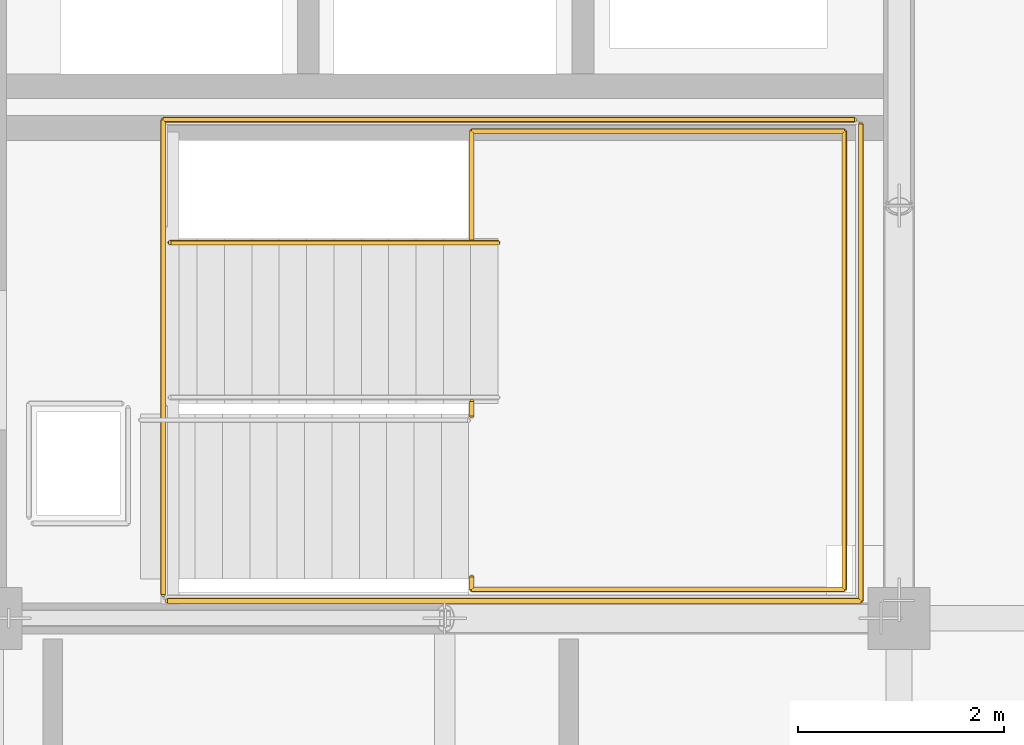
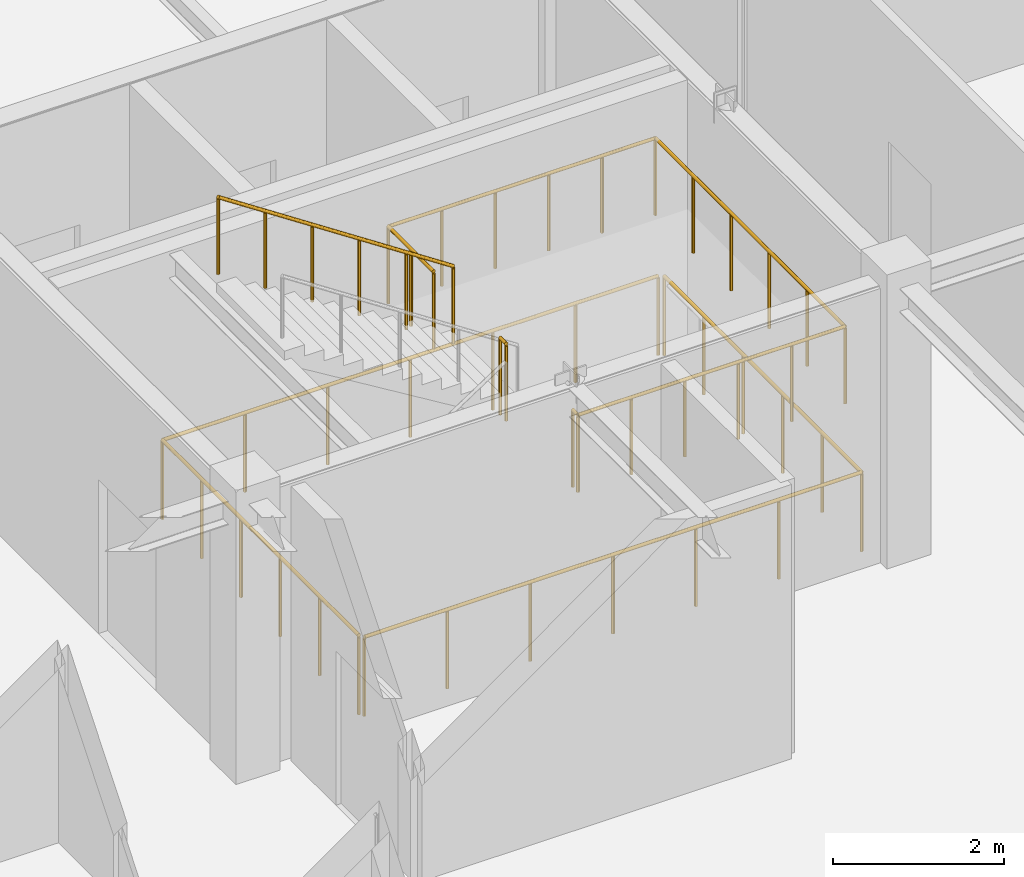
# One storey, part 61 of 64: 5 railings.
"""IFC4 building model written with IfcOpenShell, lengths in metres."""

from ifc_helpers import new_model, si_unit, direction, frame, origin, origin_2d, place, context, subcontext, project, spatial, circle, extrude, material, type_object, element, save


model = new_model("IFC4")

# Units and contexts
model_context = context("Model", 3, precision=1e-05, world=origin(), true_north=direction((0.0, 1.0)))
body_context = subcontext(model_context, "Body", "Model", "MODEL_VIEW")
ifc_project = project(units=[si_unit("LENGTHUNIT", "METRE"), si_unit("AREAUNIT", "SQUARE_METRE"), si_unit("VOLUMEUNIT", "CUBIC_METRE"), si_unit("PLANEANGLEUNIT", "RADIAN"), si_unit("MASSUNIT", "GRAM", prefix="KILO")], contexts=[model_context])

# Site, building, storey
site_placement = place(None, origin())
site = spatial("IfcSite", under=ifc_project, at=site_placement, CompositionType="ELEMENT")
building_placement = place(site_placement, origin())
building = spatial("IfcBuilding", under=site, at=building_placement, Name="Zhaolan Boulevard Law Courts", CompositionType="ELEMENT")
storey_placement = place(building_placement, frame((0.0, 0.0, 20.39990234375)))
storey = spatial("IfcBuildingStorey", under=building, at=storey_placement, Name="L04", CompositionType="ELEMENT", Elevation=20.39990234375)

# Railings
ifc_material_1 = material(Name="Powder-coated steel and tempered laminated glass", Category="steel")
railing_type_1 = type_object("IfcRailingType", Name="INTERIOR GUARDRAIL 1150", PredefinedType="GUARDRAIL", material=ifc_material_1)
railing_1_placement = place(storey_placement, frame((19.31005859375, 46.169921875, 0.0)))
element("IfcRailing", 1, at=railing_1_placement, inside=storey, type_object=railing_type_1, Name="Atrium Gallery Guardrail VG-4-V5-6A", PredefinedType="GUARDRAIL", context=body_context, shape_type="SweptSolid", body=[
    extrude(circle(Radius=0.02490234375, at=origin_2d()), frame((0.0, 0.0, 1.125), z_axis=(1.0, 0.0, 0.0), x_axis=(0.0, 1.0, 0.0)), (0.0, 0.0, 1.0), 6.719970703125),
    extrude(circle(Radius=0.02490234375, at=origin_2d()), frame((6.719970703125, 0.0, 1.125), z_axis=(0.0, 1.0, 0.0), x_axis=(-1.0, 0.0, 0.0)), (0.0, 0.0, 1.0), 4.6201171875),
    extrude(circle(Radius=0.02099609375, at=origin_2d()), origin(), (0.0, 0.0, 1.0), 1.099853515625),
    extrude(circle(Radius=0.02099609375, at=origin_2d()), frame((1.1201171875, 0.0, 0.0)), (0.0, 0.0, 1.0), 1.099853515625),
    extrude(circle(Radius=0.02099609375, at=origin_2d()), frame((2.239990234375, 0.0, 0.0)), (0.0, 0.0, 1.0), 1.099853515625),
    extrude(circle(Radius=0.02099609375, at=origin_2d()), frame((3.35986328125, 0.0, 0.0)), (0.0, 0.0, 1.0), 1.099853515625),
    extrude(circle(Radius=0.02099609375, at=origin_2d()), frame((4.47998046875, 0.0, 0.0)), (0.0, 0.0, 1.0), 1.099853515625),
    extrude(circle(Radius=0.02099609375, at=origin_2d()), frame((5.60009765625, 0.0, 0.0)), (0.0, 0.0, 1.0), 1.099853515625),
    extrude(circle(Radius=0.02099609375, at=origin_2d()), frame((6.719970703125, 0.0, 0.0)), (0.0, 0.0, 1.0), 1.099853515625),
    extrude(circle(Radius=0.02099609375, at=origin_2d()), frame((6.719970703125, 0.924072265625, 0.0)), (0.0, 0.0, 1.0), 1.099853515625),
    extrude(circle(Radius=0.02099609375, at=origin_2d()), frame((6.719970703125, 1.84814453125, 0.0)), (0.0, 0.0, 1.0), 1.099853515625),
    extrude(circle(Radius=0.02099609375, at=origin_2d()), frame((6.719970703125, 2.77197265625, 0.0)), (0.0, 0.0, 1.0), 1.099853515625),
    extrude(circle(Radius=0.02099609375, at=origin_2d()), frame((6.719970703125, 3.696044921875, 0.0)), (0.0, 0.0, 1.0), 1.099853515625),
    extrude(circle(Radius=0.02099609375, at=origin_2d()), frame((6.719970703125, 4.6201171875, 0.0)), (0.0, 0.0, 1.0), 1.099853515625),
])
railing_2_placement = place(storey_placement, frame((25.969970703125, 50.830078125, 0.0)))
element("IfcRailing", 2, at=railing_2_placement, inside=storey, type_object=railing_type_1, Name="Atrium Gallery Guardrail VG-4-V5-6B", PredefinedType="GUARDRAIL", context=body_context, shape_type="SweptSolid", body=[
    extrude(circle(Radius=0.02490234375, at=origin_2d()), frame((0.0, 0.0, 1.125), z_axis=(-1.0, 0.0, 0.0), x_axis=(0.0, -1.0, 0.0)), (0.0, 0.0, 1.0), 6.699951171875),
    extrude(circle(Radius=0.02490234375, at=origin_2d()), frame((-6.699951171875, 0.0, 1.125), z_axis=(0.0, -1.0, 0.0), x_axis=(1.0, 0.0, 0.0)), (0.0, 0.0, 1.0), 4.60009765625),
    extrude(circle(Radius=0.02099609375, at=origin_2d()), origin(), (0.0, 0.0, 1.0), 1.099853515625),
    extrude(circle(Radius=0.02099609375, at=origin_2d()), frame((-1.11669921875, 0.0, 0.0)), (0.0, 0.0, 1.0), 1.099853515625),
    extrude(circle(Radius=0.02099609375, at=origin_2d()), frame((-2.2333984375, 0.0, 0.0)), (0.0, 0.0, 1.0), 1.099853515625),
    extrude(circle(Radius=0.02099609375, at=origin_2d()), frame((-3.35009765625, 0.0, 0.0)), (0.0, 0.0, 1.0), 1.099853515625),
    extrude(circle(Radius=0.02099609375, at=origin_2d()), frame((-4.466552734375, 0.0, 0.0)), (0.0, 0.0, 1.0), 1.099853515625),
    extrude(circle(Radius=0.02099609375, at=origin_2d()), frame((-5.583251953125, 0.0, 0.0)), (0.0, 0.0, 1.0), 1.099853515625),
    extrude(circle(Radius=0.02099609375, at=origin_2d()), frame((-6.699951171875, 0.0, 0.0)), (0.0, 0.0, 1.0), 1.099853515625),
    extrude(circle(Radius=0.02099609375, at=origin_2d()), frame((-6.699951171875, -0.919921875, 0.0)), (0.0, 0.0, 1.0), 1.099853515625),
    extrude(circle(Radius=0.02099609375, at=origin_2d()), frame((-6.699951171875, -1.840087890625, 0.0)), (0.0, 0.0, 1.0), 1.099853515625),
    extrude(circle(Radius=0.02099609375, at=origin_2d()), frame((-6.699951171875, -2.760009765625, 0.0)), (0.0, 0.0, 1.0), 1.099853515625),
    extrude(circle(Radius=0.02099609375, at=origin_2d()), frame((-6.699951171875, -3.68017578125, 0.0)), (0.0, 0.0, 1.0), 1.099853515625),
    extrude(circle(Radius=0.02099609375, at=origin_2d()), frame((-6.699951171875, -4.60009765625, 0.0)), (0.0, 0.0, 1.0), 1.099853515625),
])
ifc_material_2 = material(Name="Powder-coated steel baluster guardrail", Category="steel")
railing_type_2 = type_object("IfcRailingType", Name="STAIR WELL GUARDRAIL 1120", PredefinedType="GUARDRAIL", material=ifc_material_2)
railing_3_placement = place(storey_placement, frame((22.260009765625, 46.39990234375, 2.10009765625)))
element("IfcRailing", 3, at=railing_3_placement, inside=storey, type_object=railing_type_2, Name="Half-Landing Guardrail SG-ST01-L04-M", PredefinedType="GUARDRAIL", context=body_context, shape_type="SweptSolid", body=[
    extrude(circle(Radius=0.02392578125, at=origin_2d()), frame((0.0, 0.0, 1.09619140625), z_axis=(0.0, -1.0, 0.0), x_axis=(1.0, 0.0, 0.0)), (0.0, 0.0, 1.0), 0.119873046875),
    extrude(circle(Radius=0.02392578125, at=origin_2d()), frame((0.0, -0.119873046875, 1.09619140625), z_axis=(1.0, 0.0, 0.0), x_axis=(0.0, 1.0, 0.0)), (0.0, 0.0, 1.0), 3.610107421875),
    extrude(circle(Radius=0.02392578125, at=origin_2d()), frame((3.610107421875, -0.119873046875, 1.09619140625), z_axis=(0.0, 1.0, 0.0), x_axis=(-1.0, 0.0, 0.0)), (0.0, 0.0, 1.0), 4.43994140625),
    extrude(circle(Radius=0.02392578125, at=origin_2d()), frame((3.610107421875, 4.320068359375, 1.09619140625), z_axis=(-1.0, 0.0, 0.0), x_axis=(0.0, -1.0, 0.0)), (0.0, 0.0, 1.0), 3.610107421875),
    extrude(circle(Radius=0.02392578125, at=origin_2d()), frame((0.0, 4.320068359375, 1.09619140625), z_axis=(0.0, -1.0, 0.0), x_axis=(1.0, 0.0, 0.0)), (0.0, 0.0, 1.0), 1.06005859375),
    extrude(circle(Radius=0.02099609375, at=origin_2d()), origin(), (0.0, 0.0, 1.0), 1.072021484375),
    extrude(circle(Radius=0.02099609375, at=origin_2d()), frame((0.0, -0.119873046875, 0.0)), (0.0, 0.0, 1.0), 1.072021484375),
    extrude(circle(Radius=0.02099609375, at=origin_2d()), frame((0.721923828125, -0.119873046875, 0.0)), (0.0, 0.0, 1.0), 1.072021484375),
    extrude(circle(Radius=0.02099609375, at=origin_2d()), frame((1.444091796875, -0.119873046875, 0.0)), (0.0, 0.0, 1.0), 1.072021484375),
    extrude(circle(Radius=0.02099609375, at=origin_2d()), frame((2.166015625, -0.119873046875, 0.0)), (0.0, 0.0, 1.0), 1.072021484375),
    extrude(circle(Radius=0.02099609375, at=origin_2d()), frame((2.88818359375, -0.119873046875, 0.0)), (0.0, 0.0, 1.0), 1.072021484375),
    extrude(circle(Radius=0.02099609375, at=origin_2d()), frame((3.610107421875, -0.119873046875, 0.0)), (0.0, 0.0, 1.0), 1.072021484375),
    extrude(circle(Radius=0.02099609375, at=origin_2d()), frame((3.610107421875, 0.76806640625, 0.0)), (0.0, 0.0, 1.0), 1.072021484375),
    extrude(circle(Radius=0.02099609375, at=origin_2d()), frame((3.610107421875, 1.656005859375, 0.0)), (0.0, 0.0, 1.0), 1.072021484375),
    extrude(circle(Radius=0.02099609375, at=origin_2d()), frame((3.610107421875, 2.544189453125, 0.0)), (0.0, 0.0, 1.0), 1.072021484375),
    extrude(circle(Radius=0.02099609375, at=origin_2d()), frame((3.610107421875, 3.43212890625, 0.0)), (0.0, 0.0, 1.0), 1.072021484375),
    extrude(circle(Radius=0.02099609375, at=origin_2d()), frame((3.610107421875, 4.320068359375, 0.0)), (0.0, 0.0, 1.0), 1.072021484375),
    extrude(circle(Radius=0.02099609375, at=origin_2d()), frame((2.88818359375, 4.320068359375, 0.0)), (0.0, 0.0, 1.0), 1.072021484375),
    extrude(circle(Radius=0.02099609375, at=origin_2d()), frame((2.166015625, 4.320068359375, 0.0)), (0.0, 0.0, 1.0), 1.072021484375),
    extrude(circle(Radius=0.02099609375, at=origin_2d()), frame((1.444091796875, 4.320068359375, 0.0)), (0.0, 0.0, 1.0), 1.072021484375),
    extrude(circle(Radius=0.02099609375, at=origin_2d()), frame((0.721923828125, 4.320068359375, 0.0)), (0.0, 0.0, 1.0), 1.072021484375),
    extrude(circle(Radius=0.02099609375, at=origin_2d()), frame((0.0, 4.320068359375, 0.0)), (0.0, 0.0, 1.0), 1.072021484375),
    extrude(circle(Radius=0.02099609375, at=origin_2d()), frame((0.0, 3.7900390625, 0.0)), (0.0, 0.0, 1.0), 1.072021484375),
    extrude(circle(Radius=0.02099609375, at=origin_2d()), frame((0.0, 3.260009765625, 0.0)), (0.0, 0.0, 1.0), 1.072021484375),
])
railing_4_placement = place(storey_placement, frame((22.260009765625, 47.9599609375, 2.10009765625)))
element("IfcRailing", 4, at=railing_4_placement, inside=storey, type_object=railing_type_2, Name="Half-Landing Well Guardrail SG-ST01-L04-W", PredefinedType="GUARDRAIL", context=body_context, shape_type="SweptSolid", body=[
    extrude(circle(Radius=0.02392578125, at=origin_2d()), frame((0.0, 0.0, 1.09619140625), z_axis=(0.0, 1.0, 0.0), x_axis=(-1.0, 0.0, 0.0)), (0.0, 0.0, 1.0), 0.14013671875),
    extrude(circle(Radius=0.02099609375, at=origin_2d()), origin(), (0.0, 0.0, 1.0), 1.072021484375),
    extrude(circle(Radius=0.02099609375, at=origin_2d()), frame((0.0, 0.14013671875, 0.0)), (0.0, 0.0, 1.0), 1.072021484375),
])
railing_5_placement = place(storey_placement, frame((22.514892578125, 49.639892578125, 2.10009765625)))
element("IfcRailing", 5, at=railing_5_placement, inside=storey, type_object=railing_type_2, Name="Flight Guardrail SG-ST01-L04-F2", PredefinedType="GUARDRAIL", context=body_context, shape_type="SweptSolid", body=[
    extrude(circle(Radius=0.02392578125, at=origin_2d()), frame((0.0, 0.0, 1.09619140625), z_axis=(-0.834447378162, 0.0, 0.551087627405), x_axis=(0.0, -1.0, 0.0)), (0.0, 0.0, 1.0), 3.810791015625),
    extrude(circle(Radius=0.02099609375, at=origin_2d()), origin(), (0.0, 0.0, 1.0), 1.072021484375),
    extrude(circle(Radius=0.02099609375, at=origin_2d()), frame((-0.635986328125, 0.0, 0.419921875)), (0.0, 0.0, 1.0), 1.072021484375),
    extrude(circle(Radius=0.02099609375, at=origin_2d()), frame((-1.27197265625, 0.0, 0.840087890625)), (0.0, 0.0, 1.0), 1.072021484375),
    extrude(circle(Radius=0.02099609375, at=origin_2d()), frame((-1.907958984375, 0.0, 1.260009765625)), (0.0, 0.0, 1.0), 1.072021484375),
    extrude(circle(Radius=0.02099609375, at=origin_2d()), frame((-2.5439453125, 0.0, 1.68017578125)), (0.0, 0.0, 1.0), 1.072021484375),
    extrude(circle(Radius=0.02099609375, at=origin_2d()), frame((-3.179931640625, 0.0, 2.10009765625)), (0.0, 0.0, 1.0), 1.072021484375),
])

save(model, "model.ifc")
